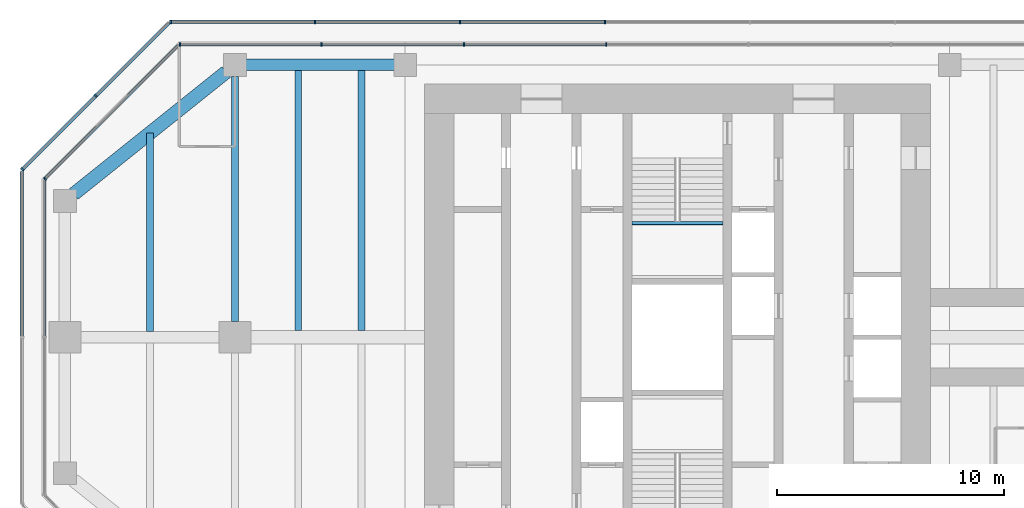
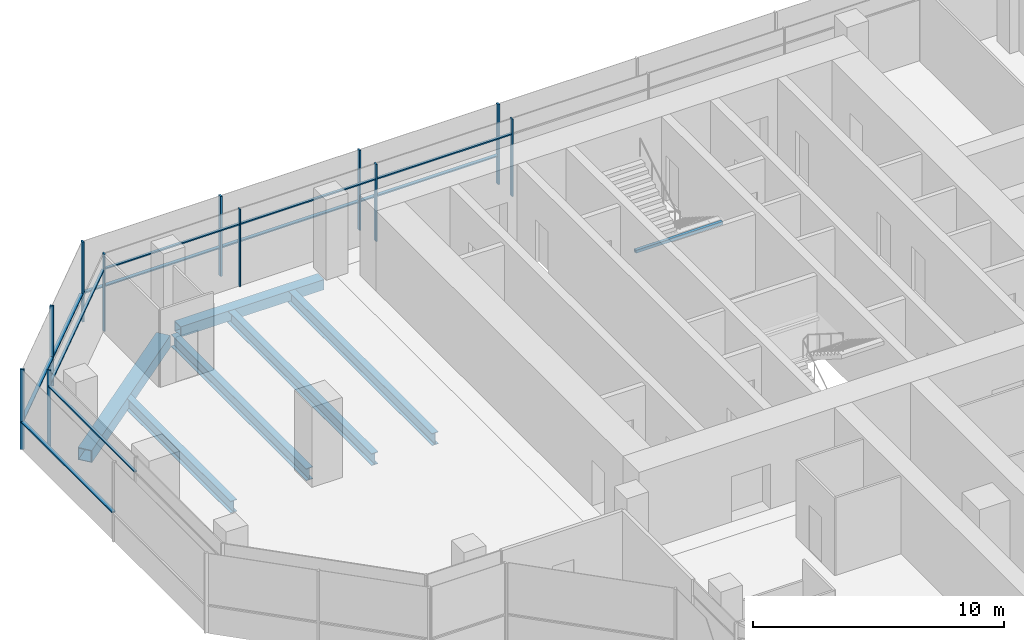
# One storey, part 6 of 15: 22 members, 7 beams, 6 elements without a shape of their own.
"""IFC4 building model written with IfcOpenShell, lengths in metres."""

from ifc_helpers import new_model, si_unit, direction, frame, origin, origin_2d, place, context, subcontext, project, spatial, rectangle, hollow_rectangle, i_section, extrude, material, material_profile, profile_set, type_object, element, aggregate, save


model = new_model("IFC4")

# Units and contexts
model_context = context("Model", 3, precision=1e-05, world=origin(), true_north=direction((0.0, 1.0)))
body_context = subcontext(model_context, "Body", "Model", "MODEL_VIEW")
ifc_project = project(units=[si_unit("LENGTHUNIT", "METRE"), si_unit("AREAUNIT", "SQUARE_METRE"), si_unit("VOLUMEUNIT", "CUBIC_METRE"), si_unit("PLANEANGLEUNIT", "RADIAN"), si_unit("MASSUNIT", "GRAM", prefix="KILO")], contexts=[model_context])

# Site, building, storey
site_placement = place(None, origin())
site = spatial("IfcSite", under=ifc_project, at=site_placement, CompositionType="ELEMENT")
building_placement = place(site_placement, origin())
building = spatial("IfcBuilding", under=site, at=building_placement, Name="Mizan Broadcast Tower", CompositionType="ELEMENT")
storey_placement = place(building_placement, frame((0.0, 0.0, 271.199951171875)))
storey = spatial("IfcBuildingStorey", under=building, at=storey_placement, Name="L64", CompositionType="ELEMENT", Elevation=271.199951171875)

# Beams
ifc_material_1 = material(Name="Steel S355", Category="steel")
ifc_material_profile_1 = material_profile(ifc_material_1, hollow_rectangle(XDim=0.5, YDim=0.5, WallThickness=0.030029296875, at=origin_2d()), Name="BOX 500x500x30")
ifc_profile_set_1 = profile_set([ifc_material_profile_1], Name="Steel S355")
beam_type_1 = type_object("IfcBeamType", Name="EDGE BEAM BOX 500x500x30", PredefinedType="SPANDREL", material=ifc_profile_set_1)
beam_1_placement = place(storey_placement, frame((-12.449951171875, 12.0, -0.3798828125), z_axis=(-1.0, 0.0, 0.0), x_axis=(0.0, -1.0, 0.0)))
element("IfcBeam", 1, at=beam_1_placement, inside=storey, type_object=beam_type_1, Name="Edge beam BOX 500x500x30 L64 west arm", PredefinedType="SPANDREL", context=body_context, shape_type="SweptSolid", body=[
    extrude(hollow_rectangle(XDim=0.5, YDim=0.5, WallThickness=0.030029296875, at=origin_2d()), origin(), (0.0, 0.0, 1.0), 6.60009765625),
])
ifc_material_2 = material(Name="Steel S355", Category="steel")
ifc_material_profile_2 = material_profile(ifc_material_2, hollow_rectangle(XDim=0.60009765625, YDim=0.60009765625, WallThickness=0.030029296875, at=origin_2d()), Name="BOX 600x600x30")
ifc_profile_set_2 = profile_set([ifc_material_profile_2], Name="Steel S355")
beam_type_2 = type_object("IfcBeamType", Name="EDGE BEAM BOX 600x600x30", PredefinedType="SPANDREL", material=ifc_profile_set_2)
beam_2_placement = place(storey_placement, frame((-19.890380859375, 11.687744140625, -0.429931640625), z_axis=(-0.780863273348, -0.62470196761, 0.0), x_axis=(0.62470196761, -0.780863273348, 0.0)))
element("IfcBeam", 2, at=beam_2_placement, inside=storey, type_object=beam_type_2, Name="Edge beam BOX 600x600x30 L64 west arm", PredefinedType="SPANDREL", context=body_context, shape_type="SweptSolid", body=[
    extrude(hollow_rectangle(XDim=0.60009765625, YDim=0.60009765625, WallThickness=0.030029296875, at=origin_2d()), origin(), (0.0, 0.0, 1.0), 8.60498046875),
])
ifc_material_3 = material(Name="Steel S355", Category="steel")
ifc_material_profile_3 = material_profile(ifc_material_3, i_section(OverallWidth=0.300048828125, OverallDepth=0.590087890625, WebThickness=0.012939453125, FlangeThickness=0.02490234375, FilletRadius=0.027099609375, at=origin_2d()), Name="HEA 600")
ifc_profile_set_3 = profile_set([ifc_material_profile_3], Name="Steel S355")
beam_type_3 = type_object("IfcBeamType", Name="GIRDER HEA 600", PredefinedType="BEAM", material=ifc_profile_set_3)
beam_3_placement = place(storey_placement, frame((-19.5, 11.5, -0.425048828125), z_axis=(0.0, -1.0, 0.0), x_axis=(1.0, 0.0, 0.0)))
element("IfcBeam", 3, at=beam_3_placement, inside=storey, type_object=beam_type_3, Name="Girder HEA 600 L64 west arm", PredefinedType="BEAM", context=body_context, shape_type="SweptSolid", body=[
    extrude(i_section(OverallWidth=0.300048828125, OverallDepth=0.590087890625, WebThickness=0.012939453125, FlangeThickness=0.02490234375, FilletRadius=0.027099609375, at=origin_2d()), origin(), (0.0, 0.0, 1.0), 10.800048828125),
])

# Curtain wall, members
ifc_material_4 = material(Name="Aluminium framed glazing", Category="aluminium")
curtain_wall_type_1 = type_object("IfcCurtainWallType", Name="INNER SKIN TOP ZONE", PredefinedType="USERDEFINED", material=ifc_material_4)
curtain_wall_1_placement = place(storey_placement, origin())
curtain_wall_1 = element("IfcCurtainWall", 4, at=curtain_wall_1_placement, inside=storey, type_object=curtain_wall_type_1, Name="Inner skin top zone L64 N end", ObjectType="INNER SKIN TOP ZONE", PredefinedType="USERDEFINED")
ifc_material_5 = material(Name="Aluminium, pale anodised", Category="aluminium")
ifc_material_profile_4 = material_profile(ifc_material_5, rectangle(XDim=0.159912109375, YDim=0.06005859375, at=origin_2d()), Name="MULLION 160x60")
ifc_profile_set_4 = profile_set([ifc_material_profile_4], Name="Aluminium, pale anodised")
member_type_1 = type_object("IfcMemberType", Name="INNER SKIN MULLION 60x160", PredefinedType="MULLION", material=ifc_profile_set_4)
member_1_placement = place(storey_placement, frame((-3.136962890625, 12.89990234375, 0.0), z_axis=(0.0, 0.0, 1.0), x_axis=(0.0, -1.0, 0.0)))
member_1 = element("IfcMember", 5, at=member_1_placement, type_object=member_type_1, Name="Inner skin top zone L64 N end mullion 5", PredefinedType="MULLION", context=body_context, shape_type="SweptSolid", body=[
    extrude(rectangle(XDim=0.159912109375, YDim=0.06005859375, at=origin_2d()), origin(), (0.0, 0.0, 1.0), 3.77001953125),
])
member_2_placement = place(storey_placement, frame((-9.410888671875, 12.89990234375, 0.0), z_axis=(0.0, 0.0, 1.0), x_axis=(0.0, -1.0, 0.0)))
member_2 = element("IfcMember", 6, at=member_2_placement, type_object=member_type_1, Name="Inner skin top zone L64 N end mullion 6", PredefinedType="MULLION", context=body_context, shape_type="SweptSolid", body=[
    extrude(rectangle(XDim=0.159912109375, YDim=0.06005859375, at=origin_2d()), origin(), (0.0, 0.0, 1.0), 3.77001953125),
])
member_3_placement = place(storey_placement, frame((-15.684814453125, 12.89990234375, 0.0), z_axis=(0.0, 0.0, 1.0), x_axis=(0.0, -1.0, 0.0)))
member_3 = element("IfcMember", 7, at=member_3_placement, type_object=member_type_1, Name="Inner skin top zone L64 N end mullion 7", PredefinedType="MULLION", context=body_context, shape_type="SweptSolid", body=[
    extrude(rectangle(XDim=0.159912109375, YDim=0.06005859375, at=origin_2d()), origin(), (0.0, 0.0, 1.0), 3.77001953125),
])
member_4_placement = place(storey_placement, frame((-21.928466796875, 12.89990234375, 0.0), z_axis=(0.0, 0.0, 1.0), x_axis=(0.0, -1.0, 0.0)))
member_4 = element("IfcMember", 8, at=member_4_placement, type_object=member_type_1, Name="Inner skin top zone L64 N end mullion 8", PredefinedType="MULLION", context=body_context, shape_type="SweptSolid", body=[
    extrude(rectangle(XDim=0.159912109375, YDim=0.06005859375, at=origin_2d()), origin(), (0.0, 0.0, 1.0), 3.77001953125),
])

# Curtain wall, member
curtain_wall_2_placement = place(storey_placement, origin())
curtain_wall_2 = element("IfcCurtainWall", 9, at=curtain_wall_2_placement, inside=storey, type_object=curtain_wall_type_1, Name="Inner skin top zone L64 W chamfer", ObjectType="INNER SKIN TOP ZONE", PredefinedType="USERDEFINED")
member_5_placement = place(storey_placement, frame((-27.87890625, 6.979736328125, 0.0), z_axis=(0.0, 0.0, 1.0), x_axis=(0.707106781187, -0.707106781187, 0.0)))
member_5 = element("IfcMember", 10, at=member_5_placement, type_object=member_type_1, Name="Inner skin top zone L64 W chamfer mullion 2", PredefinedType="MULLION", context=body_context, shape_type="SweptSolid", body=[
    extrude(rectangle(XDim=0.159912109375, YDim=0.06005859375, at=origin_2d()), origin(), (0.0, 0.0, 1.0), 3.77001953125),
])

# Member
ifc_material_6 = material(Name="Aluminium, pale anodised", Category="aluminium")
ifc_material_profile_5 = material_profile(ifc_material_6, rectangle(XDim=0.1201171875, YDim=0.06005859375, at=origin_2d()), Name="TRANSOM 120x60")
ifc_profile_set_5 = profile_set([ifc_material_profile_5], Name="Aluminium, pale anodised")
member_type_2 = type_object("IfcMemberType", Name="INNER SKIN TRANSOM 60x120", PredefinedType="USERDEFINED", material=ifc_profile_set_5)
member_6_placement = place(storey_placement, frame((-3.1669921875, 12.89990234375, 3.030029296875), z_axis=(-1.0, 0.0, 0.0), x_axis=(0.0, -1.0, 0.0)))
member_6 = element("IfcMember", 11, at=member_6_placement, type_object=member_type_2, Name="Inner skin top zone L64 N end transom 5.1", ObjectType="TRANSOM", PredefinedType="USERDEFINED", context=body_context, shape_type="SweptSolid", body=[
    extrude(rectangle(XDim=0.1201171875, YDim=0.06005859375, at=origin_2d()), origin(), (0.0, 0.0, 1.0), 6.2138671875),
])

member_7_placement = place(storey_placement, frame((-9.44091796875, 12.89990234375, 3.030029296875), z_axis=(-1.0, 0.0, 0.0), x_axis=(0.0, -1.0, 0.0)))
member_7 = element("IfcMember", 12, at=member_7_placement, type_object=member_type_2, Name="Inner skin top zone L64 N end transom 6.1", ObjectType="TRANSOM", PredefinedType="USERDEFINED", context=body_context, shape_type="SweptSolid", body=[
    extrude(rectangle(XDim=0.1201171875, YDim=0.06005859375, at=origin_2d()), origin(), (0.0, 0.0, 1.0), 6.2138671875),
])

member_8_placement = place(storey_placement, frame((-15.714599609375, 12.89990234375, 3.030029296875), z_axis=(-1.0, 0.0, 0.0), x_axis=(0.0, -1.0, 0.0)))
member_8 = element("IfcMember", 13, at=member_8_placement, type_object=member_type_2, Name="Inner skin top zone L64 N end transom 7.1", ObjectType="TRANSOM", PredefinedType="USERDEFINED", context=body_context, shape_type="SweptSolid", body=[
    extrude(rectangle(XDim=0.1201171875, YDim=0.06005859375, at=origin_2d()), origin(), (0.0, 0.0, 1.0), 6.18408203125),
])

aggregate(curtain_wall_1, [member_1, member_2, member_3, member_4, member_6, member_7, member_8])

member_9_placement = place(storey_placement, frame((-22.0009765625, 12.857666015625, 3.030029296875), z_axis=(-0.707106781187, -0.707106781187, 0.0), x_axis=(0.707106781187, -0.707106781187, 0.0)))
member_9 = element("IfcMember", 14, at=member_9_placement, type_object=member_type_2, Name="Inner skin top zone L64 W chamfer transom 1.1", ObjectType="TRANSOM", PredefinedType="USERDEFINED", context=body_context, shape_type="SweptSolid", body=[
    extrude(rectangle(XDim=0.1201171875, YDim=0.06005859375, at=origin_2d()), origin(), (0.0, 0.0, 1.0), 8.28271484375),
])

aggregate(curtain_wall_2, [member_5, member_9])

# Curtain wall, member
curtain_wall_3_placement = place(storey_placement, origin())
curtain_wall_3 = element("IfcCurtainWall", 15, at=curtain_wall_3_placement, inside=storey, type_object=curtain_wall_type_1, Name="Inner skin top zone L64 W end", ObjectType="INNER SKIN TOP ZONE", PredefinedType="USERDEFINED")
member_10_placement = place(storey_placement, frame((-27.89990234375, 6.898681640625, 3.030029296875), z_axis=(0.0, -1.0, 0.0), x_axis=(1.0, 0.0, 0.0)))
member_10 = element("IfcMember", 16, at=member_10_placement, type_object=member_type_2, Name="Inner skin top zone L64 W end transom 1.1", ObjectType="TRANSOM", PredefinedType="USERDEFINED", context=body_context, shape_type="SweptSolid", body=[
    extrude(rectangle(XDim=0.1201171875, YDim=0.06005859375, at=origin_2d()), origin(), (0.0, 0.0, 1.0), 6.86865234375),
])
aggregate(curtain_wall_3, [member_10])

# Beam
ifc_material_7 = material(Name="Steel S355", Category="steel")
ifc_material_profile_6 = material_profile(ifc_material_7, hollow_rectangle(XDim=0.14990234375, YDim=0.14990234375, WallThickness=0.008056640625, InnerFilletRadius=0.008056640625, OuterFilletRadius=0.011962890625, at=origin_2d()), Name="SHS 150x150x8")
ifc_profile_set_6 = profile_set([ifc_material_profile_6], Name="Steel S355")
beam_type_4 = type_object("IfcBeamType", Name="LANDING TRIMMER SHS 150x150x8", PredefinedType="BEAM", material=ifc_profile_set_6)
beam_4_placement = place(storey_placement, frame((2.0, 5.02490234375, 1.675048828125), z_axis=(-1.0, 0.0, 0.0), x_axis=(0.0, -1.0, 0.0)))
element("IfcBeam", 17, at=beam_4_placement, inside=storey, type_object=beam_type_4, Name="Stair B landing trimmer L64", PredefinedType="BEAM", context=body_context, shape_type="SweptSolid", body=[
    extrude(hollow_rectangle(XDim=0.14990234375, YDim=0.14990234375, WallThickness=0.008056640625, InnerFilletRadius=0.008056640625, OuterFilletRadius=0.011962890625, at=origin_2d()), origin(), (0.0, 0.0, 1.0), 4.0),
])

# Curtain wall, members
ifc_material_8 = material(Name="Aluminium framed glazing", Category="aluminium")
curtain_wall_type_2 = type_object("IfcCurtainWallType", Name="OUTER SKIN", PredefinedType="USERDEFINED", material=ifc_material_8)
curtain_wall_4_placement = place(storey_placement, origin())
curtain_wall_4 = element("IfcCurtainWall", 18, at=curtain_wall_4_placement, inside=storey, type_object=curtain_wall_type_2, Name="Outer skin L64 N end", ObjectType="OUTER SKIN", PredefinedType="USERDEFINED")
ifc_material_9 = material(Name="Aluminium, pale anodised", Category="aluminium")
ifc_material_profile_7 = material_profile(ifc_material_9, rectangle(XDim=0.159912109375, YDim=0.080078125, at=origin_2d()), Name="MULLION 160x80")
ifc_profile_set_7 = profile_set([ifc_material_profile_7], Name="Aluminium, pale anodised")
member_type_3 = type_object("IfcMemberType", Name="OUTER SKIN MULLION 80x160", PredefinedType="MULLION", material=ifc_profile_set_7)
member_11_placement = place(storey_placement, frame((-3.196044921875, 13.89990234375, 0.0), z_axis=(0.0, 0.0, 1.0), x_axis=(0.0, -1.0, 0.0)))
member_11 = element("IfcMember", 19, at=member_11_placement, type_object=member_type_3, Name="Outer skin L64 N end mullion 5", PredefinedType="MULLION", context=body_context, shape_type="SweptSolid", body=[
    extrude(rectangle(XDim=0.159912109375, YDim=0.080078125, at=origin_2d()), origin(), (0.0, 0.0, 1.0), 3.900146484375),
])
member_12_placement = place(storey_placement, frame((-9.58837890625, 13.89990234375, 0.0), z_axis=(0.0, 0.0, 1.0), x_axis=(0.0, -1.0, 0.0)))
member_12 = element("IfcMember", 20, at=member_12_placement, type_object=member_type_3, Name="Outer skin L64 N end mullion 6", PredefinedType="MULLION", context=body_context, shape_type="SweptSolid", body=[
    extrude(rectangle(XDim=0.159912109375, YDim=0.080078125, at=origin_2d()), origin(), (0.0, 0.0, 1.0), 3.900146484375),
])
member_13_placement = place(storey_placement, frame((-15.98046875, 13.89990234375, 0.0), z_axis=(0.0, 0.0, 1.0), x_axis=(0.0, -1.0, 0.0)))
member_13 = element("IfcMember", 21, at=member_13_placement, type_object=member_type_3, Name="Outer skin L64 N end mullion 7", PredefinedType="MULLION", context=body_context, shape_type="SweptSolid", body=[
    extrude(rectangle(XDim=0.159912109375, YDim=0.080078125, at=origin_2d()), origin(), (0.0, 0.0, 1.0), 3.900146484375),
])
member_14_placement = place(storey_placement, frame((-22.332763671875, 13.89990234375, 0.0), z_axis=(0.0, 0.0, 1.0), x_axis=(0.0, -1.0, 0.0)))
member_14 = element("IfcMember", 22, at=member_14_placement, type_object=member_type_3, Name="Outer skin L64 N end mullion 8", PredefinedType="MULLION", context=body_context, shape_type="SweptSolid", body=[
    extrude(rectangle(XDim=0.159912109375, YDim=0.080078125, at=origin_2d()), origin(), (0.0, 0.0, 1.0), 3.900146484375),
])

curtain_wall_5_placement = place(storey_placement, origin())
curtain_wall_5 = element("IfcCurtainWall", 23, at=curtain_wall_5_placement, inside=storey, type_object=curtain_wall_type_2, Name="Outer skin L64 W chamfer", ObjectType="OUTER SKIN", PredefinedType="USERDEFINED")
member_15_placement = place(storey_placement, frame((-25.636474609375, 10.636474609375, 0.0), z_axis=(0.0, 0.0, 1.0), x_axis=(0.707106781187, -0.707106781187, 0.0)))
member_15 = element("IfcMember", 24, at=member_15_placement, type_object=member_type_3, Name="Outer skin L64 W chamfer mullion 2", PredefinedType="MULLION", context=body_context, shape_type="SweptSolid", body=[
    extrude(rectangle(XDim=0.159912109375, YDim=0.080078125, at=origin_2d()), origin(), (0.0, 0.0, 1.0), 3.900146484375),
])
member_16_placement = place(storey_placement, frame((-28.871826171875, 7.401123046875, 0.0), z_axis=(0.0, 0.0, 1.0), x_axis=(0.707106781187, -0.707106781187, 0.0)))
member_16 = element("IfcMember", 25, at=member_16_placement, type_object=member_type_3, Name="Outer skin L64 W chamfer mullion 3", PredefinedType="MULLION", context=body_context, shape_type="SweptSolid", body=[
    extrude(rectangle(XDim=0.159912109375, YDim=0.080078125, at=origin_2d()), origin(), (0.0, 0.0, 1.0), 3.900146484375),
])

# Member
ifc_material_10 = material(Name="Aluminium, pale anodised", Category="aluminium")
ifc_material_profile_8 = material_profile(ifc_material_10, rectangle(XDim=0.159912109375, YDim=0.06005859375, at=origin_2d()), Name="TRANSOM 160x60")
ifc_profile_set_8 = profile_set([ifc_material_profile_8], Name="Aluminium, pale anodised")
member_type_4 = type_object("IfcMemberType", Name="OUTER SKIN TRANSOM 60x160", PredefinedType="USERDEFINED", material=ifc_profile_set_8)
member_17_placement = place(storey_placement, frame((-3.236083984375, 13.89990234375, 1.400146484375), z_axis=(-1.0, 0.0, 0.0), x_axis=(0.0, -1.0, 0.0)))
member_17 = element("IfcMember", 26, at=member_17_placement, type_object=member_type_4, Name="Outer skin L64 N end transom 5.1", ObjectType="TRANSOM", PredefinedType="USERDEFINED", context=body_context, shape_type="SweptSolid", body=[
    extrude(rectangle(XDim=0.159912109375, YDim=0.06005859375, at=origin_2d()), origin(), (0.0, 0.0, 1.0), 6.312255859375),
])

member_18_placement = place(storey_placement, frame((-9.62841796875, 13.89990234375, 1.400146484375), z_axis=(-1.0, 0.0, 0.0), x_axis=(0.0, -1.0, 0.0)))
member_18 = element("IfcMember", 27, at=member_18_placement, type_object=member_type_4, Name="Outer skin L64 N end transom 6.1", ObjectType="TRANSOM", PredefinedType="USERDEFINED", context=body_context, shape_type="SweptSolid", body=[
    extrude(rectangle(XDim=0.159912109375, YDim=0.06005859375, at=origin_2d()), origin(), (0.0, 0.0, 1.0), 6.312255859375),
])

member_19_placement = place(storey_placement, frame((-16.0205078125, 13.89990234375, 1.400146484375), z_axis=(-1.0, 0.0, 0.0), x_axis=(0.0, -1.0, 0.0)))
member_19 = element("IfcMember", 28, at=member_19_placement, type_object=member_type_4, Name="Outer skin L64 N end transom 7.1", ObjectType="TRANSOM", PredefinedType="USERDEFINED", context=body_context, shape_type="SweptSolid", body=[
    extrude(rectangle(XDim=0.159912109375, YDim=0.06005859375, at=origin_2d()), origin(), (0.0, 0.0, 1.0), 6.272216796875),
])

aggregate(curtain_wall_4, [member_11, member_12, member_13, member_14, member_17, member_18, member_19])

member_20_placement = place(storey_placement, frame((-22.429443359375, 13.843505859375, 1.400146484375), z_axis=(-0.707106781187, -0.707106781187, 0.0), x_axis=(0.707106781187, -0.707106781187, 0.0)))
member_20 = element("IfcMember", 29, at=member_20_placement, type_object=member_type_4, Name="Outer skin L64 W chamfer transom 1.1", ObjectType="TRANSOM", PredefinedType="USERDEFINED", context=body_context, shape_type="SweptSolid", body=[
    extrude(rectangle(XDim=0.159912109375, YDim=0.06005859375, at=origin_2d()), origin(), (0.0, 0.0, 1.0), 4.495361328125),
])

member_21_placement = place(storey_placement, frame((-25.664794921875, 10.608154296875, 1.400146484375), z_axis=(-0.707106781187, -0.707106781187, 0.0), x_axis=(0.707106781187, -0.707106781187, 0.0)))
member_21 = element("IfcMember", 30, at=member_21_placement, type_object=member_type_4, Name="Outer skin L64 W chamfer transom 2.1", ObjectType="TRANSOM", PredefinedType="USERDEFINED", context=body_context, shape_type="SweptSolid", body=[
    extrude(rectangle(XDim=0.159912109375, YDim=0.06005859375, at=origin_2d()), origin(), (0.0, 0.0, 1.0), 4.495361328125),
])

aggregate(curtain_wall_5, [member_15, member_16, member_20, member_21])

# Curtain wall, member
curtain_wall_6_placement = place(storey_placement, origin())
curtain_wall_6 = element("IfcCurtainWall", 31, at=curtain_wall_6_placement, inside=storey, type_object=curtain_wall_type_2, Name="Outer skin L64 W end", ObjectType="OUTER SKIN", PredefinedType="USERDEFINED")
member_22_placement = place(storey_placement, frame((-28.89990234375, 7.292724609375, 1.400146484375), z_axis=(0.0, -1.0, 0.0), x_axis=(1.0, 0.0, 0.0)))
member_22 = element("IfcMember", 32, at=member_22_placement, type_object=member_type_4, Name="Outer skin L64 W end transom 1.1", ObjectType="TRANSOM", PredefinedType="USERDEFINED", context=body_context, shape_type="SweptSolid", body=[
    extrude(rectangle(XDim=0.159912109375, YDim=0.06005859375, at=origin_2d()), origin(), (0.0, 0.0, 1.0), 7.252685546875),
])
aggregate(curtain_wall_6, [member_22])

# Beams
ifc_material_11 = material(Name="Steel S355", Category="steel")
ifc_material_profile_9 = material_profile(ifc_material_11, i_section(OverallWidth=0.300048828125, OverallDepth=0.590087890625, WebThickness=0.012939453125, FlangeThickness=0.02490234375, FilletRadius=0.027099609375, at=origin_2d()), Name="HEA 600")
ifc_profile_set_9 = profile_set([ifc_material_profile_9], Name="Steel S355")
beam_type_5 = type_object("IfcBeamType", Name="SECONDARY BEAM HEA 600", PredefinedType="JOIST", material=ifc_profile_set_9)
for number, where, z_axis, x_axis, name in (
    (33, (-13.933349609375, 12.0, -0.425048828125), (0.0, -1.0, 0.0), (1.0, 0.0, 0.0), "Secondary beam HEA 600 L64 west arm"),
    (34, (-16.716552734375, 12.0, -0.425048828125), (0.0, -1.0, 0.0), (1.0, 0.0, 0.0), "Secondary beam HEA 600 L64 west arm"),
):
    element("IfcBeam", number, at=place(storey_placement, frame(where, z_axis=z_axis, x_axis=x_axis)), inside=storey, type_object=beam_type_5, Name=name, PredefinedType="JOIST", context=body_context, shape_type="SweptSolid", body=[
        extrude(i_section(OverallWidth=0.300048828125, OverallDepth=0.590087890625, WebThickness=0.012939453125, FlangeThickness=0.02490234375, FilletRadius=0.027099609375, at=origin_2d()), origin(), (0.0, 0.0, 1.0), 11.699951171875),
    ])
beam_5_placement = place(storey_placement, frame((-23.25, 9.0, -0.425048828125), z_axis=(0.0, -1.0, 0.0), x_axis=(1.0, 0.0, 0.0)))
element("IfcBeam", 35, at=beam_5_placement, inside=storey, type_object=beam_type_5, Name="Secondary beam HEA 600 L64 west arm", PredefinedType="JOIST", context=body_context, shape_type="SweptSolid", body=[
    extrude(i_section(OverallWidth=0.300048828125, OverallDepth=0.590087890625, WebThickness=0.012939453125, FlangeThickness=0.02490234375, FilletRadius=0.027099609375, at=origin_2d()), origin(), (0.0, 0.0, 1.0), 8.75),
])

save(model, "model.ifc")
